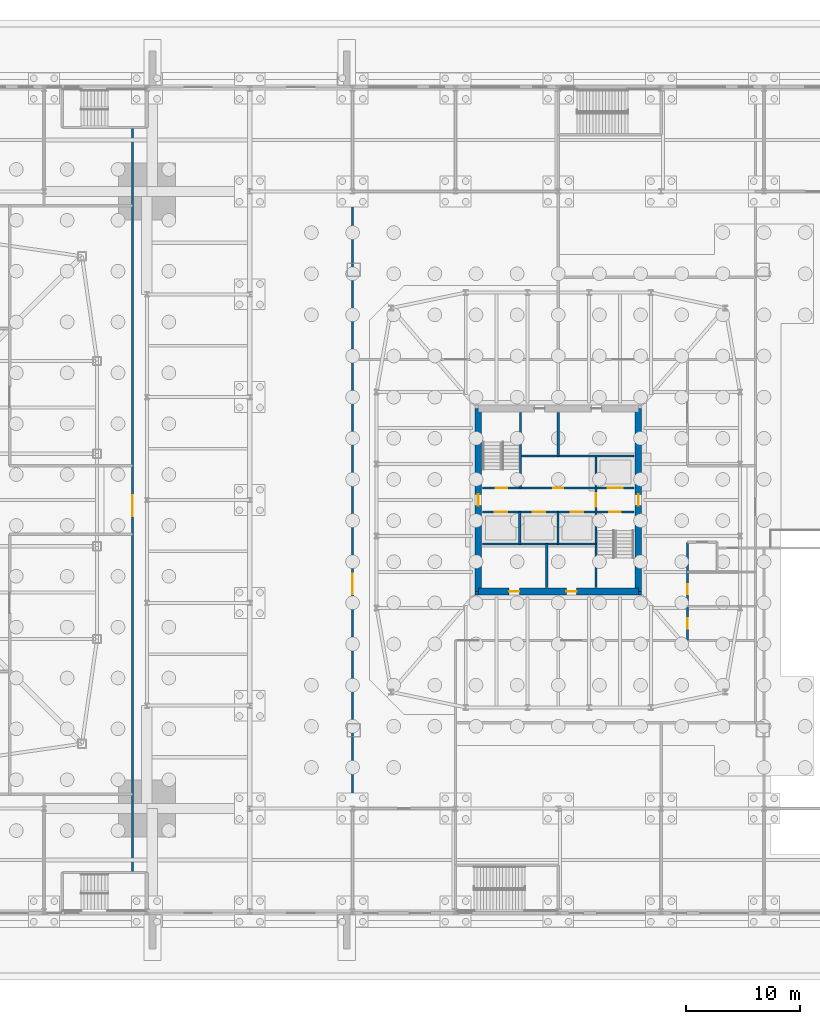
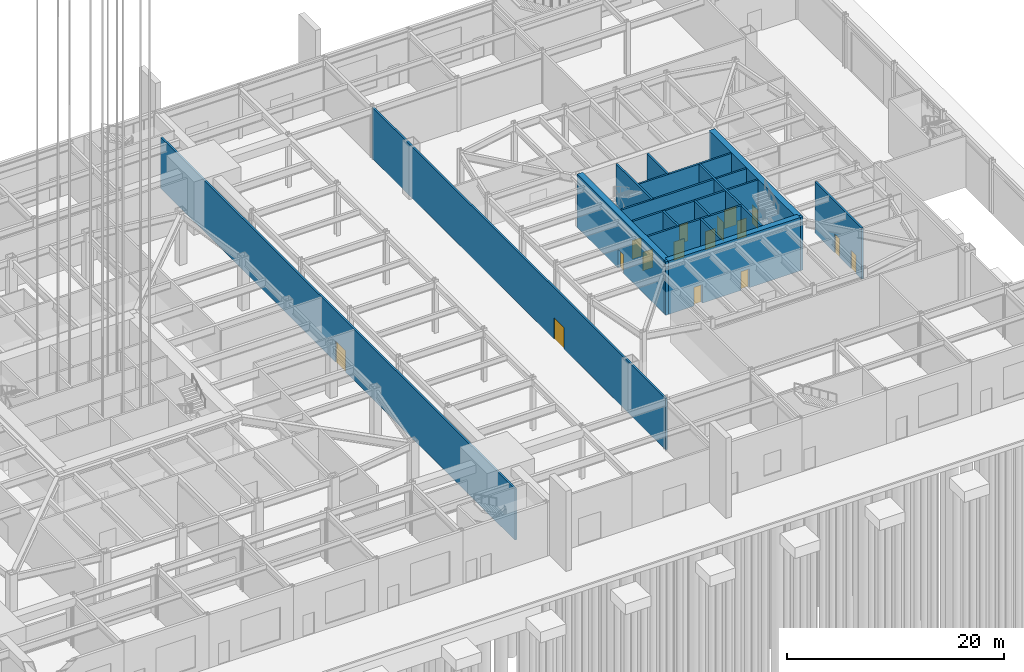
# One storey, part 17 of 37: 18 walls, 16 doors, 16 openings.
"""IFC4 building model written with IfcOpenShell, lengths in metres."""

import ifcopenshell
import ifcopenshell.guid

model = None  # the IFC model being written
_history = None  # IfcOwnerHistory: only IFC2X3 demands one
_inside = {}  # id of a spatial element -> (the spatial element, [elements in it])
_under = {}  # id of a project, library or spatial element -> (it, [spatial elements below it])
_declared = {}  # id of a project -> (the project, [libraries it declares])
_typed = {}  # id of a type object -> (the type object, [elements of that type])
_made_of = {}  # id of a material, layer set ... -> (it, [elements and type objects made of it])


def new_model(schema):
    """Start an empty IFC model of exactly this schema.

    Asked for "IFC4X3", IfcOpenShell would pick the latest addendum, in which some entities
    have other attributes; the version numbers below select the first issue.
    IFC2X3 requires an IfcOwnerHistory on every rooted entity: one is made here for all.
    """
    global model, _history
    if schema == "IFC4X3":
        model = ifcopenshell.file(schema_version=(4, 3, 0, 0))
    else:
        model = ifcopenshell.file(schema=schema)
    _inside.clear()
    _under.clear()
    _declared.clear()
    _typed.clear()
    _made_of.clear()
    _history = None
    if model.schema == "IFC2X3":
        org = make("IfcOrganization", Name="unknown")
        user = make(
            "IfcPersonAndOrganization",
            ThePerson=make("IfcPerson", FamilyName="unknown"),
            TheOrganization=org,
        )
        app = make(
            "IfcApplication",
            ApplicationDeveloper=org,
            Version="unknown",
            ApplicationFullName="unknown",
            ApplicationIdentifier="unknown",
        )
        _history = make(
            "IfcOwnerHistory",
            OwningUser=user,
            OwningApplication=app,
            ChangeAction="ADDED",
            CreationDate=0,
        )
    return model


def make(cls, **values):
    """One entity of the class cls with the attributes given. An attribute that is None is left unset."""
    return model.create_entity(
        cls, **{name: value for name, value in values.items() if value is not None}
    )


def rooted(cls, **values):
    """An entity with a GlobalId (a new one), such as an element, a storey or a relation."""
    return make(cls, GlobalId=ifcopenshell.guid.new(), OwnerHistory=_history, **values)


def si_unit(unit_type, name, prefix=None):
    """IfcSIUnit, for example si_unit("LENGTHUNIT", "METRE", prefix="MILLI")."""
    return make("IfcSIUnit", UnitType=unit_type, Prefix=prefix, Name=name)


def assignment(units):
    """IfcUnitAssignment: the units of a project."""
    return None if units is None else make("IfcUnitAssignment", Units=units)


def point(xyz):
    """IfcCartesianPoint."""
    return None if xyz is None else make("IfcCartesianPoint", Coordinates=xyz)


def direction(xyz):
    """IfcDirection."""
    return None if xyz is None else make("IfcDirection", DirectionRatios=xyz)


def frame(location, z_axis=None, x_axis=None):
    """IfcAxis2Placement3D, a coordinate frame: its origin and axes. An axis left out is left unset."""
    return make(
        "IfcAxis2Placement3D",
        Location=point(location),
        Axis=direction(z_axis),
        RefDirection=direction(x_axis),
    )


def frame_2d(location, x_axis=None):
    """IfcAxis2Placement2D, a coordinate frame in the plane: its origin and x axis."""
    return make(
        "IfcAxis2Placement2D", Location=point(location), RefDirection=direction(x_axis)
    )


def origin():
    """The frame at (0, 0, 0) with its axes left unset."""
    return frame((0.0, 0.0, 0.0))


def place(relative_to, where):
    """IfcLocalPlacement: puts the frame where relative to a parent placement (None: the world)."""
    return make(
        "IfcLocalPlacement", PlacementRelTo=relative_to, RelativePlacement=where
    )


def context(
    kind, dimensions, precision=None, world=None, true_north=None, identifier=None
):
    """IfcGeometricRepresentationContext, for example the 3D "Model" context."""
    return make(
        "IfcGeometricRepresentationContext",
        ContextIdentifier=identifier,
        ContextType=kind,
        CoordinateSpaceDimension=dimensions,
        Precision=precision,
        WorldCoordinateSystem=world,
        TrueNorth=true_north,
    )


def subcontext(parent, identifier, kind, view, scale=None):
    """IfcGeometricRepresentationSubContext, for example "Body" below "Model"."""
    return make(
        "IfcGeometricRepresentationSubContext",
        ContextIdentifier=identifier,
        ContextType=kind,
        ParentContext=parent,
        TargetScale=scale,
        TargetView=view,
    )


def project(units=None, contexts=None):
    """IfcProject with its units and contexts."""
    return rooted(
        "IfcProject",
        Name="project",
        RepresentationContexts=contexts,
        UnitsInContext=assignment(units),
    )


def spatial(cls, under=None, at=None, **own):
    """A site, building, storey or space (cls), placed at a placement, below another one or the project."""
    s = rooted(cls, ObjectPlacement=at, **own)
    if under is not None:
        _under.setdefault(under.id(), (under, []))[1].append(s)
    return s


def profile(cls, at=None, kind="AREA", **sizes):
    """A parametric profile (cls). Its sizes go by their IFC names, for example OverallWidth=200.0."""
    return make(cls, ProfileType=kind, Position=at, **sizes)


def rectangle(**sizes):
    """IfcRectangleProfileDef."""
    return profile("IfcRectangleProfileDef", **sizes)


def extrude(swept, where, along, depth):
    """IfcExtrudedAreaSolid: the profile swept, set in the frame where, extruded along a direction by depth."""
    return make(
        "IfcExtrudedAreaSolid",
        SweptArea=swept,
        Position=where,
        ExtrudedDirection=direction(along),
        Depth=depth,
    )


def shape(context_of_items, identifier, shape_type, items):
    """IfcShapeRepresentation: the items that make up one representation, for example the "Body"."""
    return make(
        "IfcShapeRepresentation",
        ContextOfItems=context_of_items,
        RepresentationIdentifier=identifier,
        RepresentationType=shape_type,
        Items=items,
    )


def material(Name=None, Category=None):
    """IfcMaterial."""
    return make("IfcMaterial", Name=Name, Category=Category)


def layer(
    of_material, thickness, ventilated=None, Name=None, Category=None, Priority=None
):
    """IfcMaterialLayer: one layer of a wall or slab, of a material (None: an air gap)."""
    return make(
        "IfcMaterialLayer",
        Material=of_material,
        LayerThickness=thickness,
        IsVentilated=ventilated,
        Name=Name,
        Category=Category,
        Priority=Priority,
    )


def layer_set(layers, Name=None):
    """IfcMaterialLayerSet."""
    return make("IfcMaterialLayerSet", MaterialLayers=layers, LayerSetName=Name)


def made_of(thing, what):
    """Note that an element or type object is made of a material, layer set ...; save() writes the relation."""
    if what is not None:
        _made_of.setdefault(what.id(), (what, []))[1].append(thing)
    return thing


def type_object(cls, material=None, **own):
    """A type object (cls), such as IfcWallType, which elements share."""
    return made_of(rooted(cls, **own), material)


def element(
    cls,
    number,
    at=None,
    inside=None,
    cuts=None,
    type_object=None,
    material=None,
    context=None,
    identifier="Body",
    shape_type=None,
    held_by="IfcProductDefinitionShape",
    body=None,
    shapes=None,
    **own,
):
    """One element of the class cls, such as IfcWall. Its Tag is "e" and its number.

    at: its placement. inside: the storey or other place that contains it. cuts: it is an
    opening in that element (IfcRelVoidsElement). A single representation is given by context,
    identifier, shape_type and body (its items); several are given by shapes. held_by: the class
    of the entity that holds the representations. save() writes the other relations.
    """
    e = rooted(cls, Tag="e%d" % number, ObjectPlacement=at, **own)
    if body is not None:
        shapes = [shape(context, identifier, shape_type, body)]
    if shapes is not None:
        e.Representation = make(held_by, Representations=shapes)
    if inside is not None:
        _inside.setdefault(inside.id(), (inside, []))[1].append(e)
    if cuts is not None:
        rooted(
            "IfcRelVoidsElement", RelatingBuildingElement=cuts, RelatedOpeningElement=e
        )
    if type_object is not None:
        _typed.setdefault(type_object.id(), (type_object, []))[1].append(e)
    return made_of(e, material)


def fill(opening, filler):
    """IfcRelFillsElement: the door or window that sits in an opening."""
    return rooted(
        "IfcRelFillsElement",
        RelatingOpeningElement=opening,
        RelatedBuildingElement=filler,
    )


def aggregate(whole, parts):
    """IfcRelAggregates: a whole, such as a stair, and the parts it consists of."""
    return rooted("IfcRelAggregates", RelatingObject=whole, RelatedObjects=parts)


def save(model, path):
    """Write the relations noted so far, then the file.

    IfcRelAggregates (storeys below a building ...), IfcRelContainedInSpatialStructure (elements
    in a storey), IfcRelDefinesByType, IfcRelAssociatesMaterial and IfcRelDeclares: one each for
    every whole, place, type object, material and project.
    """
    for whole, parts in _under.values():
        aggregate(whole, parts)
    for where, things in _inside.values():
        rooted(
            "IfcRelContainedInSpatialStructure",
            RelatedElements=things,
            RelatingStructure=where,
        )
    for kind, things in _typed.values():
        rooted("IfcRelDefinesByType", RelatedObjects=things, RelatingType=kind)
    for what, things in _made_of.values():
        rooted("IfcRelAssociatesMaterial", RelatedObjects=things, RelatingMaterial=what)
    for by, libraries in _declared.values():
        rooted("IfcRelDeclares", RelatingContext=by, RelatedDefinitions=libraries)
    model.write(path)


model = new_model("IFC4")

# Units and contexts
model_context = context("Model", 3, precision=1e-05, world=origin(), true_north=direction((0.0, 1.0)))
body_context = subcontext(model_context, "Body", "Model", "MODEL_VIEW")
ifc_project = project(units=[si_unit("LENGTHUNIT", "METRE"), si_unit("AREAUNIT", "SQUARE_METRE"), si_unit("VOLUMEUNIT", "CUBIC_METRE"), si_unit("PLANEANGLEUNIT", "RADIAN"), si_unit("MASSUNIT", "GRAM", prefix="KILO")], contexts=[model_context])

# Site, building, storey
site_placement = place(None, origin())
site = spatial("IfcSite", under=ifc_project, at=site_placement, CompositionType="ELEMENT")
building_placement = place(site_placement, origin())
building = spatial("IfcBuilding", under=site, at=building_placement, Name="Iwan Alto Co-Living Towers", CompositionType="ELEMENT")
storey_placement = place(building_placement, origin())
storey = spatial("IfcBuildingStorey", under=building, at=storey_placement, Name="L00", CompositionType="ELEMENT", Elevation=0.0)

# Wall, openings, doors
ifc_material_1 = material(Name="Concrete block masonry f*p 10 MPa", Category="masonry")
ifc_layer_1 = layer(ifc_material_1, 0.199951171875)
ifc_layer_set_1 = layer_set([ifc_layer_1], Name="PODIUM INTERNAL WALL 200")
wall_type_1 = type_object("IfcWallType", Name="PODIUM INTERNAL WALL 200", PredefinedType="SOLIDWALL", material=ifc_layer_set_1)
wall_1_placement = place(storey_placement, frame((74.300048828125, -12.300048828125, 0.0), z_axis=(0.0, 0.0, 1.0), x_axis=(0.0, 1.0, 0.0)))
wall_1 = element("IfcWall", 1, at=wall_1_placement, inside=storey, type_object=wall_type_1, Name="Partition L00", PredefinedType="SOLIDWALL", context=body_context, shape_type="SweptSolid", body=[
    extrude(rectangle(XDim=8.60009765625, YDim=0.199951171875, at=frame_2d((4.300048828125, 0.0))), origin(), (0.0, 0.0, 1.0), 5.75),
])
opening_1_placement = place(wall_1_placement, frame((1.050048828125, 0.0, 0.0)))
opening_1 = element("IfcOpeningElement", 2, at=opening_1_placement, cuts=wall_1, Name="Opening D4", PredefinedType="OPENING", context=body_context, shape_type="SweptSolid", body=[
    extrude(rectangle(XDim=0.89990234375, YDim=2.10009765625, at=frame_2d((0.449951171875, 1.050048828125))), frame((0.0, 0.10986328125, 0.0), z_axis=(0.0, -1.0, 0.0), x_axis=(1.0, 0.0, 0.0)), (0.0, 0.0, 1.0), 0.219970703125),
])
opening_2_placement = place(wall_1_placement, frame((4.050048828125, 0.0, 0.0)))
opening_2 = element("IfcOpeningElement", 3, at=opening_2_placement, cuts=wall_1, Name="Opening D4", PredefinedType="OPENING", context=body_context, shape_type="SweptSolid", body=[
    extrude(rectangle(XDim=0.89990234375, YDim=2.10009765625, at=frame_2d((0.449951171875, 1.050048828125))), frame((0.0, 0.10986328125, 0.0), z_axis=(0.0, -1.0, 0.0), x_axis=(1.0, 0.0, 0.0)), (0.0, 0.0, 1.0), 0.219970703125),
])
ifc_material_2 = material(Name="Timber leaf in steel frame", Category="steel")
door_type_1 = type_object("IfcDoorType", Name="WC DOOR 900X2100", OperationType="SINGLE_SWING_LEFT", PredefinedType="DOOR", material=ifc_material_2)
door_1_placement = place(opening_1_placement, frame((0.89990234375, 0.0, 0.0), z_axis=(0.0, 0.0, 1.0), x_axis=(-1.0, 0.0, 0.0)))
door_1 = element("IfcDoor", 4, at=door_1_placement, inside=storey, type_object=door_type_1, Name="Ladies' WC door L00", OperationType="SINGLE_SWING_RIGHT", OverallHeight=2.10009765625, OverallWidth=0.89990234375, PredefinedType="DOOR", context=body_context, shape_type="SweptSolid", body=[
    extrude(rectangle(XDim=0.89990234375, YDim=2.10009765625, at=frame_2d((0.449951171875, 1.050048828125))), frame((0.0, 0.02490234375, 0.0), z_axis=(0.0, -1.0, 0.0), x_axis=(1.0, 0.0, 0.0)), (0.0, 0.0, 1.0), 0.050048828125),
])
fill(opening_1, door_1)
door_2_placement = place(opening_2_placement, frame((0.89990234375, 0.0, 0.0), z_axis=(0.0, 0.0, 1.0), x_axis=(-1.0, 0.0, 0.0)))
door_2 = element("IfcDoor", 5, at=door_2_placement, inside=storey, type_object=door_type_1, Name="Gents' WC door L00", OperationType="SINGLE_SWING_RIGHT", OverallHeight=2.10009765625, OverallWidth=0.89990234375, PredefinedType="DOOR", context=body_context, shape_type="SweptSolid", body=[
    extrude(rectangle(XDim=0.89990234375, YDim=2.10009765625, at=frame_2d((0.449951171875, 1.050048828125))), frame((0.0, 0.02490234375, 0.0), z_axis=(0.0, -1.0, 0.0), x_axis=(1.0, 0.0, 0.0)), (0.0, 0.0, 1.0), 0.050048828125),
])
fill(opening_2, door_2)

# Wall, opening, door
wall_2_placement = place(storey_placement, frame((25.75, -32.60009765625, 0.0), z_axis=(0.0, 0.0, 1.0), x_axis=(0.0, 1.0, 0.0)))
wall_2 = element("IfcWall", 6, at=wall_2_placement, inside=storey, type_object=wall_type_1, Name="Partition L00", PredefinedType="SOLIDWALL", context=body_context, shape_type="SweptSolid", body=[
    extrude(rectangle(XDim=65.2001953125, YDim=0.199951171875, at=frame_2d((32.60009765625, 0.0))), origin(), (0.0, 0.0, 1.0), 5.75),
])
opening_3_placement = place(wall_2_placement, frame((31.199951171875, 0.0, 0.0)))
opening_3 = element("IfcOpeningElement", 7, at=opening_3_placement, cuts=wall_2, Name="Opening D11", PredefinedType="OPENING", context=body_context, shape_type="SweptSolid", body=[
    extrude(rectangle(XDim=1.800048828125, YDim=2.39990234375, at=frame_2d((0.89990234375, 1.199951171875))), frame((0.0, 0.10986328125, 0.0), z_axis=(0.0, -1.0, 0.0), x_axis=(1.0, 0.0, 0.0)), (0.0, 0.0, 1.0), 0.219970703125),
])
ifc_material_3 = material(Name="Fire-resisting glazed leaves in steel frame", Category="steel")
door_type_2 = type_object("IfcDoorType", Name="LOBBY GLAZED DOOR 1800X2400", OperationType="DOUBLE_DOOR_SINGLE_SWING", PredefinedType="DOOR", material=ifc_material_3)
door_3_placement = place(opening_3_placement, origin())
door_3 = element("IfcDoor", 8, at=door_3_placement, inside=storey, type_object=door_type_2, Name="Concourse door L00", OperationType="DOUBLE_DOOR_SINGLE_SWING", OverallHeight=2.39990234375, OverallWidth=1.800048828125, PredefinedType="DOOR", context=body_context, shape_type="SweptSolid", body=[
    extrude(rectangle(XDim=1.800048828125, YDim=2.39990234375, at=frame_2d((0.89990234375, 1.199951171875))), frame((0.0, 0.02490234375, 0.0), z_axis=(0.0, -1.0, 0.0), x_axis=(1.0, 0.0, 0.0)), (0.0, 0.0, 1.0), 0.050048828125),
])
fill(opening_3, door_3)

wall_3_placement = place(storey_placement, frame((45.0, -27.0, 0.0), z_axis=(0.0, 0.0, 1.0), x_axis=(0.0, 1.0, 0.0)))
wall_3 = element("IfcWall", 9, at=wall_3_placement, inside=storey, type_object=wall_type_1, Name="Partition L00", PredefinedType="SOLIDWALL", context=body_context, shape_type="SweptSolid", body=[
    extrude(rectangle(XDim=54.0, YDim=0.199951171875, at=frame_2d((27.0, 0.0))), origin(), (0.0, 0.0, 1.0), 5.75),
])
opening_4_placement = place(wall_3_placement, frame((18.75, 0.0, 0.0)))
opening_4 = element("IfcOpeningElement", 10, at=opening_4_placement, cuts=wall_3, Name="Opening D11", PredefinedType="OPENING", context=body_context, shape_type="SweptSolid", body=[
    extrude(rectangle(XDim=1.800048828125, YDim=2.39990234375, at=frame_2d((0.89990234375, 1.199951171875))), frame((0.0, 0.10986328125, 0.0), z_axis=(0.0, -1.0, 0.0), x_axis=(1.0, 0.0, 0.0)), (0.0, 0.0, 1.0), 0.219970703125),
])
door_4_placement = place(opening_4_placement, frame((1.800048828125, 0.0, 0.0), z_axis=(0.0, 0.0, 1.0), x_axis=(-1.0, 0.0, 0.0)))
door_4 = element("IfcDoor", 11, at=door_4_placement, inside=storey, type_object=door_type_2, Name="Concourse door L00", OperationType="DOUBLE_DOOR_SINGLE_SWING", OverallHeight=2.39990234375, OverallWidth=1.800048828125, PredefinedType="DOOR", context=body_context, shape_type="SweptSolid", body=[
    extrude(rectangle(XDim=1.800048828125, YDim=2.39990234375, at=frame_2d((0.89990234375, 1.199951171875))), frame((0.0, 0.02490234375, 0.0), z_axis=(0.0, -1.0, 0.0), x_axis=(1.0, 0.0, 0.0)), (0.0, 0.0, 1.0), 0.050048828125),
])
fill(opening_4, door_4)

# Wall
ifc_material_4 = material(Name="Concrete f'c 70 MPa", Category="concrete")
ifc_layer_2 = layer(ifc_material_4, 0.199951171875)
ifc_layer_set_2 = layer_set([ifc_layer_2], Name="SHAFT WALL 200")
wall_type_2 = type_object("IfcWallType", Name="SHAFT WALL 200", PredefinedType="SOLIDWALL", material=ifc_layer_set_2)
wall_4_placement = place(storey_placement, frame((56.360107421875, -3.85009765625, 0.0), z_axis=(0.0, 0.0, 1.0), x_axis=(1.0, 0.0, 0.0)))
element("IfcWall", 12, at=wall_4_placement, inside=storey, type_object=wall_type_2, Name="Shaft wall L00", PredefinedType="SOLIDWALL", context=body_context, shape_type="SweptSolid", body=[
    extrude(rectangle(XDim=9.93994140625, YDim=0.199951171875, at=frame_2d((4.969970703125, 0.0))), origin(), (0.0, 0.0, 1.0), 6.0),
])

# Wall, openings, doors
wall_5_placement = place(storey_placement, frame((56.360107421875, -1.050048828125, 0.0), z_axis=(0.0, 0.0, 1.0), x_axis=(1.0, 0.0, 0.0)))
wall_5 = element("IfcWall", 13, at=wall_5_placement, inside=storey, type_object=wall_type_2, Name="Shaft wall L00", PredefinedType="SOLIDWALL", context=body_context, shape_type="SweptSolid", body=[
    extrude(rectangle(XDim=13.27978515625, YDim=0.199951171875, at=frame_2d((6.639892578125, 0.0))), origin(), (0.0, 0.0, 1.0), 6.0),
])
opening_5_placement = place(wall_5_placement, frame((11.110107421875, 0.0, 0.0)))
opening_5 = element("IfcOpeningElement", 14, at=opening_5_placement, cuts=wall_5, Name="Opening D5", PredefinedType="OPENING", context=body_context, shape_type="SweptSolid", body=[
    extrude(rectangle(XDim=1.0, YDim=2.10009765625, at=frame_2d((0.5, 1.050048828125))), frame((0.0, 0.10986328125, 0.0), z_axis=(0.0, -1.0, 0.0), x_axis=(1.0, 0.0, 0.0)), (0.0, 0.0, 1.0), 0.219970703125),
])
opening_6_placement = place(wall_5_placement, frame((1.0869140625, 0.0, 0.0)))
opening_6 = element("IfcOpeningElement", 15, at=opening_6_placement, cuts=wall_5, Name="Opening LD", PredefinedType="OPENING", context=body_context, shape_type="SweptSolid", body=[
    extrude(rectangle(XDim=1.10009765625, YDim=2.10009765625, at=frame_2d((0.550048828125, 1.050048828125))), frame((0.0, 0.10986328125, 0.0), z_axis=(0.0, -1.0, 0.0), x_axis=(1.0, 0.0, 0.0)), (0.0, 0.0, 1.0), 0.219970703125),
])
opening_7_placement = place(wall_5_placement, frame((4.389892578125, 0.0, 0.0)))
opening_7 = element("IfcOpeningElement", 16, at=opening_7_placement, cuts=wall_5, Name="Opening LD", PredefinedType="OPENING", context=body_context, shape_type="SweptSolid", body=[
    extrude(rectangle(XDim=1.10009765625, YDim=2.10009765625, at=frame_2d((0.550048828125, 1.050048828125))), frame((0.0, 0.10986328125, 0.0), z_axis=(0.0, -1.0, 0.0), x_axis=(1.0, 0.0, 0.0)), (0.0, 0.0, 1.0), 0.219970703125),
])
opening_8_placement = place(wall_5_placement, frame((7.72412109375, 0.0, 0.0)))
opening_8 = element("IfcOpeningElement", 17, at=opening_8_placement, cuts=wall_5, Name="Opening LD", PredefinedType="OPENING", context=body_context, shape_type="SweptSolid", body=[
    extrude(rectangle(XDim=1.10009765625, YDim=2.10009765625, at=frame_2d((0.550048828125, 1.050048828125))), frame((0.0, 0.10986328125, 0.0), z_axis=(0.0, -1.0, 0.0), x_axis=(1.0, 0.0, 0.0)), (0.0, 0.0, 1.0), 0.219970703125),
])
ifc_material_5 = material(Name="Steel frame with timber leaf", Category="steel")
door_type_3 = type_object("IfcDoorType", Name="LIFT LANDING DOOR 1100X2100", OperationType="DOUBLE_DOOR_SLIDING", PredefinedType="DOOR", material=ifc_material_5)
door_5_placement = place(opening_6_placement, origin())
door_5 = element("IfcDoor", 18, at=door_5_placement, inside=storey, type_object=door_type_3, Name="Lift P5-1 landing door L00", OperationType="DOUBLE_DOOR_SLIDING", OverallHeight=2.10009765625, OverallWidth=1.10009765625, PredefinedType="DOOR", context=body_context, shape_type="SweptSolid", body=[
    extrude(rectangle(XDim=1.10009765625, YDim=2.10009765625, at=frame_2d((0.550048828125, 1.050048828125))), frame((0.0, 0.02490234375, 0.0), z_axis=(0.0, -1.0, 0.0), x_axis=(1.0, 0.0, 0.0)), (0.0, 0.0, 1.0), 0.050048828125),
])
fill(opening_6, door_5)
door_6_placement = place(opening_7_placement, origin())
door_6 = element("IfcDoor", 19, at=door_6_placement, inside=storey, type_object=door_type_3, Name="Lift P5-2 landing door L00", OperationType="DOUBLE_DOOR_SLIDING", OverallHeight=2.10009765625, OverallWidth=1.10009765625, PredefinedType="DOOR", context=body_context, shape_type="SweptSolid", body=[
    extrude(rectangle(XDim=1.10009765625, YDim=2.10009765625, at=frame_2d((0.550048828125, 1.050048828125))), frame((0.0, 0.02490234375, 0.0), z_axis=(0.0, -1.0, 0.0), x_axis=(1.0, 0.0, 0.0)), (0.0, 0.0, 1.0), 0.050048828125),
])
fill(opening_7, door_6)
door_7_placement = place(opening_8_placement, origin())
door_7 = element("IfcDoor", 20, at=door_7_placement, inside=storey, type_object=door_type_3, Name="Lift P6-3 landing door L00", OperationType="DOUBLE_DOOR_SLIDING", OverallHeight=2.10009765625, OverallWidth=1.10009765625, PredefinedType="DOOR", context=body_context, shape_type="SweptSolid", body=[
    extrude(rectangle(XDim=1.10009765625, YDim=2.10009765625, at=frame_2d((0.550048828125, 1.050048828125))), frame((0.0, 0.02490234375, 0.0), z_axis=(0.0, -1.0, 0.0), x_axis=(1.0, 0.0, 0.0)), (0.0, 0.0, 1.0), 0.050048828125),
])
fill(opening_8, door_7)
ifc_material_6 = material(Name="Steel frame with timber leaf", Category="steel")
door_type_4 = type_object("IfcDoorType", Name="STAIR DOOR FD120S 1000X2100", OperationType="SINGLE_SWING_LEFT", PredefinedType="DOOR", material=ifc_material_6)
door_8_placement = place(opening_5_placement, origin())
door_8 = element("IfcDoor", 21, at=door_8_placement, inside=storey, type_object=door_type_4, Name="Stair S2 door L00", OperationType="SINGLE_SWING_LEFT", OverallHeight=2.10009765625, OverallWidth=1.0, PredefinedType="DOOR", context=body_context, shape_type="SweptSolid", body=[
    extrude(rectangle(XDim=1.0, YDim=2.10009765625, at=frame_2d((0.5, 1.050048828125))), frame((0.0, 0.02490234375, 0.0), z_axis=(0.0, -1.0, 0.0), x_axis=(1.0, 0.0, 0.0)), (0.0, 0.0, 1.0), 0.050048828125),
])
fill(opening_5, door_8)

wall_6_placement = place(storey_placement, frame((56.360107421875, 1.050048828125, 0.0), z_axis=(0.0, 0.0, 1.0), x_axis=(1.0, 0.0, 0.0)))
wall_6 = element("IfcWall", 22, at=wall_6_placement, inside=storey, type_object=wall_type_2, Name="Shaft wall L00", PredefinedType="SOLIDWALL", context=body_context, shape_type="SweptSolid", body=[
    extrude(rectangle(XDim=13.27978515625, YDim=0.199951171875, at=frame_2d((6.639892578125, 0.0))), origin(), (0.0, 0.0, 1.0), 6.0),
])
opening_9_placement = place(wall_6_placement, frame((1.169921875, 0.0, 0.0)))
opening_9 = element("IfcOpeningElement", 23, at=opening_9_placement, cuts=wall_6, Name="Opening D5", PredefinedType="OPENING", context=body_context, shape_type="SweptSolid", body=[
    extrude(rectangle(XDim=1.0, YDim=2.10009765625, at=frame_2d((0.5, 1.050048828125))), frame((0.0, 0.10986328125, 0.0), z_axis=(0.0, -1.0, 0.0), x_axis=(1.0, 0.0, 0.0)), (0.0, 0.0, 1.0), 0.219970703125),
])
opening_10_placement = place(wall_6_placement, frame((6.18994140625, 0.0, 0.0)))
opening_10 = element("IfcOpeningElement", 24, at=opening_10_placement, cuts=wall_6, Name="Opening D8", PredefinedType="OPENING", context=body_context, shape_type="SweptSolid", body=[
    extrude(rectangle(XDim=0.89990234375, YDim=2.10009765625, at=frame_2d((0.449951171875, 1.050048828125))), frame((0.0, 0.10986328125, 0.0), z_axis=(0.0, -1.0, 0.0), x_axis=(1.0, 0.0, 0.0)), (0.0, 0.0, 1.0), 0.219970703125),
])
opening_11_placement = place(wall_6_placement, frame((10.9599609375, 0.0, 0.0)))
opening_11 = element("IfcOpeningElement", 25, at=opening_11_placement, cuts=wall_6, Name="Opening LD2", PredefinedType="OPENING", context=body_context, shape_type="SweptSolid", body=[
    extrude(rectangle(XDim=1.300048828125, YDim=2.10009765625, at=frame_2d((0.64990234375, 1.050048828125))), frame((0.0, 0.10986328125, 0.0), z_axis=(0.0, -1.0, 0.0), x_axis=(1.0, 0.0, 0.0)), (0.0, 0.0, 1.0), 0.219970703125),
])
ifc_material_7 = material(Name="Steel frame with timber leaf", Category="steel")
door_type_5 = type_object("IfcDoorType", Name="LIFT LANDING DOOR 1300X2100", OperationType="SLIDING_TO_LEFT", PredefinedType="DOOR", material=ifc_material_7)
door_9_placement = place(opening_11_placement, origin())
door_9 = element("IfcDoor", 26, at=door_9_placement, inside=storey, type_object=door_type_5, Name="Lift FL2 landing door L00", OperationType="SLIDING_TO_LEFT", OverallHeight=2.10009765625, OverallWidth=1.300048828125, PredefinedType="DOOR", context=body_context, shape_type="SweptSolid", body=[
    extrude(rectangle(XDim=1.300048828125, YDim=2.10009765625, at=frame_2d((0.64990234375, 1.050048828125))), frame((0.0, 0.02490234375, 0.0), z_axis=(0.0, -1.0, 0.0), x_axis=(1.0, 0.0, 0.0)), (0.0, 0.0, 1.0), 0.050048828125),
])
fill(opening_11, door_9)
ifc_material_8 = material(Name="Steel frame with timber leaf", Category="steel")
door_type_6 = type_object("IfcDoorType", Name="RISER DOOR FD120 900X2100", OperationType="SINGLE_SWING_LEFT", PredefinedType="DOOR", material=ifc_material_8)
door_10_placement = place(opening_10_placement, origin())
door_10 = element("IfcDoor", 27, at=door_10_placement, inside=storey, type_object=door_type_6, Name="Riser room door L00", OperationType="SINGLE_SWING_LEFT", OverallHeight=2.10009765625, OverallWidth=0.89990234375, PredefinedType="DOOR", context=body_context, shape_type="SweptSolid", body=[
    extrude(rectangle(XDim=0.89990234375, YDim=2.10009765625, at=frame_2d((0.449951171875, 1.050048828125))), frame((0.0, 0.02490234375, 0.0), z_axis=(0.0, -1.0, 0.0), x_axis=(1.0, 0.0, 0.0)), (0.0, 0.0, 1.0), 0.050048828125),
])
fill(opening_10, door_10)
door_11_placement = place(opening_9_placement, frame((1.0, 0.0, 0.0), z_axis=(0.0, 0.0, 1.0), x_axis=(-1.0, 0.0, 0.0)))
door_11 = element("IfcDoor", 28, at=door_11_placement, inside=storey, type_object=door_type_4, Name="Stair S1 door L00", OperationType="SINGLE_SWING_RIGHT", OverallHeight=2.10009765625, OverallWidth=1.0, PredefinedType="DOOR", context=body_context, shape_type="SweptSolid", body=[
    extrude(rectangle(XDim=1.0, YDim=2.10009765625, at=frame_2d((0.5, 1.050048828125))), frame((0.0, 0.02490234375, 0.0), z_axis=(0.0, -1.0, 0.0), x_axis=(1.0, 0.0, 0.0)), (0.0, 0.0, 1.0), 0.050048828125),
])
fill(opening_9, door_11)

# Wall
wall_7_placement = place(storey_placement, frame((59.699951171875, 3.85009765625, 0.0), z_axis=(0.0, 0.0, 1.0), x_axis=(1.0, 0.0, 0.0)))
element("IfcWall", 29, at=wall_7_placement, inside=storey, type_object=wall_type_2, Name="Shaft wall L00", PredefinedType="SOLIDWALL", context=body_context, shape_type="SweptSolid", body=[
    extrude(rectangle(XDim=9.93994140625, YDim=0.199951171875, at=frame_2d((4.969970703125, 0.0))), origin(), (0.0, 0.0, 1.0), 6.0),
])

# Wall, opening, door
wall_8_placement = place(storey_placement, frame((66.300048828125, -7.639892578125, 0.0), z_axis=(0.0, 0.0, 1.0), x_axis=(0.0, 1.0, 0.0)))
wall_8 = element("IfcWall", 30, at=wall_8_placement, inside=storey, type_object=wall_type_2, Name="Shaft wall L00", PredefinedType="SOLIDWALL", context=body_context, shape_type="SweptSolid", body=[
    extrude(rectangle(XDim=11.489990234375, YDim=0.199951171875, at=frame_2d((5.7451171875, 0.0))), origin(), (0.0, 0.0, 1.0), 6.0),
])
opening_12_placement = place(wall_8_placement, frame((7.0400390625, 0.0, 0.0)))
opening_12 = element("IfcOpeningElement", 31, at=opening_12_placement, cuts=wall_8, Name="Opening D6", PredefinedType="OPENING", context=body_context, shape_type="SweptSolid", body=[
    extrude(rectangle(XDim=1.199951171875, YDim=2.10009765625, at=frame_2d((0.60009765625, 1.050048828125))), frame((0.0, 0.10986328125, 0.0), z_axis=(0.0, -1.0, 0.0), x_axis=(1.0, 0.0, 0.0)), (0.0, 0.0, 1.0), 0.219970703125),
])
ifc_material_9 = material(Name="Steel frame with timber leaf", Category="steel")
door_type_7 = type_object("IfcDoorType", Name="LOBBY DOOR FD120S 1200X2100", OperationType="SINGLE_SWING_LEFT", PredefinedType="DOOR", material=ifc_material_9)
door_12_placement = place(opening_12_placement, frame((1.199951171875, 0.0, 0.0), z_axis=(0.0, 0.0, 1.0), x_axis=(-1.0, 0.0, 0.0)))
door_12 = element("IfcDoor", 32, at=door_12_placement, inside=storey, type_object=door_type_7, Name="Firefighting lobby door L00", OperationType="SINGLE_SWING_RIGHT", OverallHeight=2.10009765625, OverallWidth=1.199951171875, PredefinedType="DOOR", context=body_context, shape_type="SweptSolid", body=[
    extrude(rectangle(XDim=1.199951171875, YDim=2.10009765625, at=frame_2d((0.60009765625, 1.050048828125))), frame((0.0, 0.02490234375, 0.0), z_axis=(0.0, -1.0, 0.0), x_axis=(1.0, 0.0, 0.0)), (0.0, 0.0, 1.0), 0.050048828125),
])
fill(opening_12, door_12)

# Walls
wall_9_placement = place(storey_placement, frame((63.0, 3.85009765625, 0.0), z_axis=(0.0, 0.0, 1.0), x_axis=(0.0, 1.0, 0.0)))
element("IfcWall", 33, at=wall_9_placement, inside=storey, type_object=wall_type_2, Name="Shaft wall L00", PredefinedType="SOLIDWALL", context=body_context, shape_type="SweptSolid", body=[
    extrude(rectangle(XDim=3.789794921875, YDim=0.199951171875, at=frame_2d((1.89501953125, 0.0))), origin(), (0.0, 0.0, 1.0), 6.0),
])
wall_10_placement = place(storey_placement, frame((62.967041015625, -3.85009765625, 0.0), z_axis=(0.0, 0.0, 1.0), x_axis=(0.0, 1.0, 0.0)))
element("IfcWall", 34, at=wall_10_placement, inside=storey, type_object=wall_type_2, Name="Shaft wall L00", PredefinedType="SOLIDWALL", context=body_context, shape_type="SweptSolid", body=[
    extrude(rectangle(XDim=2.800048828125, YDim=0.199951171875, at=frame_2d((1.39990234375, 0.0))), origin(), (0.0, 0.0, 1.0), 6.0),
])
wall_11_placement = place(storey_placement, frame((62.0, -7.639892578125, 0.0), z_axis=(0.0, 0.0, 1.0), x_axis=(0.0, 1.0, 0.0)))
element("IfcWall", 35, at=wall_11_placement, inside=storey, type_object=wall_type_2, Name="Shaft wall L00", PredefinedType="SOLIDWALL", context=body_context, shape_type="SweptSolid", body=[
    extrude(rectangle(XDim=3.789794921875, YDim=0.199951171875, at=frame_2d((1.89501953125, 0.0))), origin(), (0.0, 0.0, 1.0), 6.0),
])
wall_12_placement = place(storey_placement, frame((59.699951171875, 1.050048828125, 0.0), z_axis=(0.0, 0.0, 1.0), x_axis=(0.0, 1.0, 0.0)))
element("IfcWall", 36, at=wall_12_placement, inside=storey, type_object=wall_type_2, Name="Shaft wall L00", PredefinedType="SOLIDWALL", context=body_context, shape_type="SweptSolid", body=[
    extrude(rectangle(XDim=6.58984375, YDim=0.199951171875, at=frame_2d((3.294921875, 0.0))), origin(), (0.0, 0.0, 1.0), 6.0),
])
wall_13_placement = place(storey_placement, frame((59.633056640625, -3.85009765625, 0.0), z_axis=(0.0, 0.0, 1.0), x_axis=(0.0, 1.0, 0.0)))
element("IfcWall", 37, at=wall_13_placement, inside=storey, type_object=wall_type_2, Name="Shaft wall L00", PredefinedType="SOLIDWALL", context=body_context, shape_type="SweptSolid", body=[
    extrude(rectangle(XDim=2.800048828125, YDim=0.199951171875, at=frame_2d((1.39990234375, 0.0))), origin(), (0.0, 0.0, 1.0), 6.0),
])
ifc_material_10 = material(Name="Concrete f'c 70 MPa", Category="concrete")
ifc_layer_3 = layer(ifc_material_10, 0.300048828125)
ifc_layer_set_3 = layer_set([ifc_layer_3], Name="T2 CORE CORNER FILL 300")
wall_type_3 = type_object("IfcWallType", Name="T2 CORE CORNER FILL 300", PredefinedType="SOLIDWALL", material=ifc_layer_set_3)
for number, where, z_axis, x_axis, name in (
    (38, (55.699951171875, -8.14990234375, 0.0), (0.0, 0.0, 1.0), (1.0, 0.0, 0.0), "T2 core corner SW L00"),
    (39, (70.0, -8.14990234375, 0.0), (0.0, 0.0, 1.0), (1.0, 0.0, 0.0), "T2 core corner SE L00"),
):
    element("IfcWall", number, at=place(storey_placement, frame(where, z_axis=z_axis, x_axis=x_axis)), inside=storey, type_object=wall_type_3, Name=name, PredefinedType="SOLIDWALL", context=body_context, shape_type="SweptSolid", body=[
        extrude(rectangle(XDim=0.300048828125, YDim=0.300048828125, at=frame_2d((0.14990234375, 0.0))), origin(), (0.0, 0.0, 1.0), 6.0),
    ])

# Wall, openings, doors
ifc_material_11 = material(Name="Concrete f'c 70 MPa", Category="concrete")
ifc_layer_4 = layer(ifc_material_11, 0.60009765625)
ifc_layer_set_4 = layer_set([ifc_layer_4], Name="T2 CORE WALL 600")
wall_type_4 = type_object("IfcWallType", Name="T2 CORE WALL 600", PredefinedType="SHEAR", material=ifc_layer_set_4)
wall_14_placement = place(storey_placement, frame((56.0, -8.0, 0.0), z_axis=(0.0, 0.0, 1.0), x_axis=(1.0, 0.0, 0.0)))
wall_14 = element("IfcWall", 40, at=wall_14_placement, inside=storey, type_object=wall_type_4, Name="T2 core wall S L00", PredefinedType="SHEAR", context=body_context, shape_type="SweptSolid", body=[
    extrude(rectangle(XDim=14.0, YDim=0.60009765625, at=frame_2d((7.0, 0.0))), origin(), (0.0, 0.0, 1.0), 6.0),
])
opening_13_placement = place(wall_14_placement, frame((2.699951171875, 0.0, 0.0)))
opening_13 = element("IfcOpeningElement", 41, at=opening_13_placement, cuts=wall_14, Name="Opening D8", PredefinedType="OPENING", context=body_context, shape_type="SweptSolid", body=[
    extrude(rectangle(XDim=0.89990234375, YDim=2.10009765625, at=frame_2d((0.449951171875, 1.050048828125))), frame((0.0, 0.31005859375, 0.0), z_axis=(0.0, -1.0, 0.0), x_axis=(1.0, 0.0, 0.0)), (0.0, 0.0, 1.0), 0.6201171875),
])
opening_14_placement = place(wall_14_placement, frame((7.699951171875, 0.0, 0.0)))
opening_14 = element("IfcOpeningElement", 42, at=opening_14_placement, cuts=wall_14, Name="Opening D8", PredefinedType="OPENING", context=body_context, shape_type="SweptSolid", body=[
    extrude(rectangle(XDim=0.89990234375, YDim=2.10009765625, at=frame_2d((0.449951171875, 1.050048828125))), frame((0.0, 0.31005859375, 0.0), z_axis=(0.0, -1.0, 0.0), x_axis=(1.0, 0.0, 0.0)), (0.0, 0.0, 1.0), 0.6201171875),
])
door_13_placement = place(opening_13_placement, origin())
door_13 = element("IfcDoor", 43, at=door_13_placement, inside=storey, type_object=door_type_6, Name="Refuse room core door L00", OperationType="SINGLE_SWING_LEFT", OverallHeight=2.10009765625, OverallWidth=0.89990234375, PredefinedType="DOOR", context=body_context, shape_type="SweptSolid", body=[
    extrude(rectangle(XDim=0.89990234375, YDim=2.10009765625, at=frame_2d((0.449951171875, 1.050048828125))), frame((0.0, 0.02490234375, 0.0), z_axis=(0.0, -1.0, 0.0), x_axis=(1.0, 0.0, 0.0)), (0.0, 0.0, 1.0), 0.050048828125),
])
fill(opening_13, door_13)
door_14_placement = place(opening_14_placement, origin())
door_14 = element("IfcDoor", 44, at=door_14_placement, inside=storey, type_object=door_type_6, Name="Telecom riser core door L00", OperationType="SINGLE_SWING_LEFT", OverallHeight=2.10009765625, OverallWidth=0.89990234375, PredefinedType="DOOR", context=body_context, shape_type="SweptSolid", body=[
    extrude(rectangle(XDim=0.89990234375, YDim=2.10009765625, at=frame_2d((0.449951171875, 1.050048828125))), frame((0.0, 0.02490234375, 0.0), z_axis=(0.0, -1.0, 0.0), x_axis=(1.0, 0.0, 0.0)), (0.0, 0.0, 1.0), 0.050048828125),
])
fill(opening_14, door_14)

# Wall, opening, door
wall_15_placement = place(storey_placement, frame((70.0, -8.0, 0.0), z_axis=(0.0, 0.0, 1.0), x_axis=(0.0, 1.0, 0.0)))
wall_15 = element("IfcWall", 45, at=wall_15_placement, inside=storey, type_object=wall_type_4, Name="T2 core wall E L00", PredefinedType="SHEAR", context=body_context, shape_type="SweptSolid", body=[
    extrude(rectangle(XDim=16.0, YDim=0.60009765625, at=frame_2d((8.0, 0.0))), origin(), (0.0, 0.0, 1.0), 6.0),
])
opening_15_placement = place(wall_15_placement, frame((7.5, 0.0, 0.0)))
opening_15 = element("IfcOpeningElement", 46, at=opening_15_placement, cuts=wall_15, Name="Opening D7", PredefinedType="OPENING", context=body_context, shape_type="SweptSolid", body=[
    extrude(rectangle(XDim=1.0, YDim=2.10009765625, at=frame_2d((0.5, 1.050048828125))), frame((0.0, 0.31005859375, 0.0), z_axis=(0.0, -1.0, 0.0), x_axis=(1.0, 0.0, 0.0)), (0.0, 0.0, 1.0), 0.6201171875),
])
ifc_material_12 = material(Name="Steel frame with timber leaf", Category="steel")
door_type_8 = type_object("IfcDoorType", Name="CORE DOOR FD120S 1000X2100", OperationType="SINGLE_SWING_LEFT", PredefinedType="DOOR", material=ifc_material_12)
door_15_placement = place(opening_15_placement, origin())
door_15 = element("IfcDoor", 47, at=door_15_placement, inside=storey, type_object=door_type_8, Name="Firefighting lobby core door L00", OperationType="SINGLE_SWING_LEFT", OverallHeight=2.10009765625, OverallWidth=1.0, PredefinedType="DOOR", context=body_context, shape_type="SweptSolid", body=[
    extrude(rectangle(XDim=1.0, YDim=2.10009765625, at=frame_2d((0.5, 1.050048828125))), frame((0.0, 0.02490234375, 0.0), z_axis=(0.0, -1.0, 0.0), x_axis=(1.0, 0.0, 0.0)), (0.0, 0.0, 1.0), 0.050048828125),
])
fill(opening_15, door_15)

wall_16_placement = place(storey_placement, frame((56.0, 8.0, 0.0), z_axis=(0.0, 0.0, 1.0), x_axis=(0.0, -1.0, 0.0)))
wall_16 = element("IfcWall", 48, at=wall_16_placement, inside=storey, type_object=wall_type_4, Name="T2 core wall W L00", PredefinedType="SHEAR", context=body_context, shape_type="SweptSolid", body=[
    extrude(rectangle(XDim=16.0, YDim=0.60009765625, at=frame_2d((8.0, 0.0))), origin(), (0.0, 0.0, 1.0), 6.0),
])
opening_16_placement = place(wall_16_placement, frame((7.5, 0.0, 0.0)))
opening_16 = element("IfcOpeningElement", 49, at=opening_16_placement, cuts=wall_16, Name="Opening D7", PredefinedType="OPENING", context=body_context, shape_type="SweptSolid", body=[
    extrude(rectangle(XDim=1.0, YDim=2.10009765625, at=frame_2d((0.5, 1.050048828125))), frame((0.0, 0.31005859375, 0.0), z_axis=(0.0, -1.0, 0.0), x_axis=(1.0, 0.0, 0.0)), (0.0, 0.0, 1.0), 0.6201171875),
])
door_16_placement = place(opening_16_placement, origin())
door_16 = element("IfcDoor", 50, at=door_16_placement, inside=storey, type_object=door_type_8, Name="Lift lobby core door L00", OperationType="SINGLE_SWING_RIGHT", OverallHeight=2.10009765625, OverallWidth=1.0, PredefinedType="DOOR", context=body_context, shape_type="SweptSolid", body=[
    extrude(rectangle(XDim=1.0, YDim=2.10009765625, at=frame_2d((0.5, 1.050048828125))), frame((0.0, 0.02490234375, 0.0), z_axis=(0.0, -1.0, 0.0), x_axis=(1.0, 0.0, 0.0)), (0.0, 0.0, 1.0), 0.050048828125),
])
fill(opening_16, door_16)

save(model, "model.ifc")
